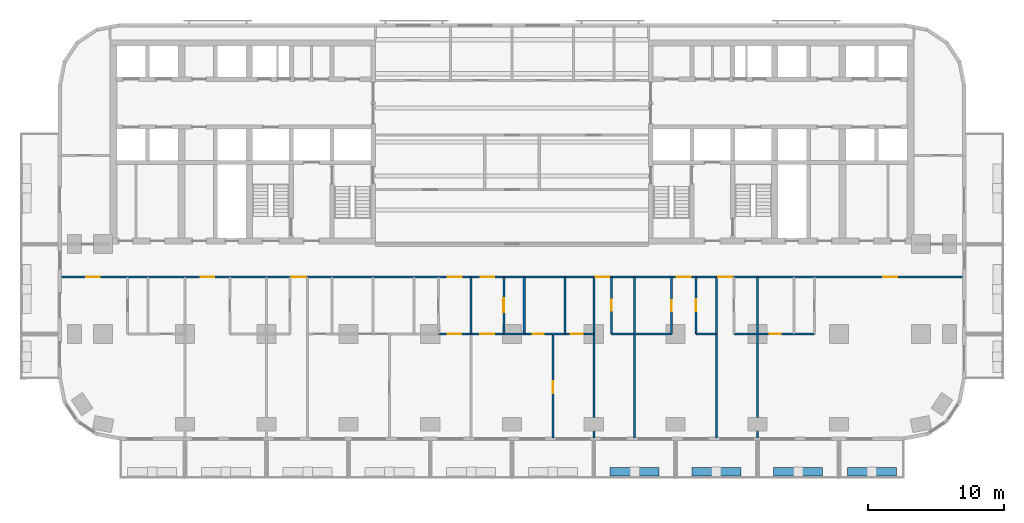
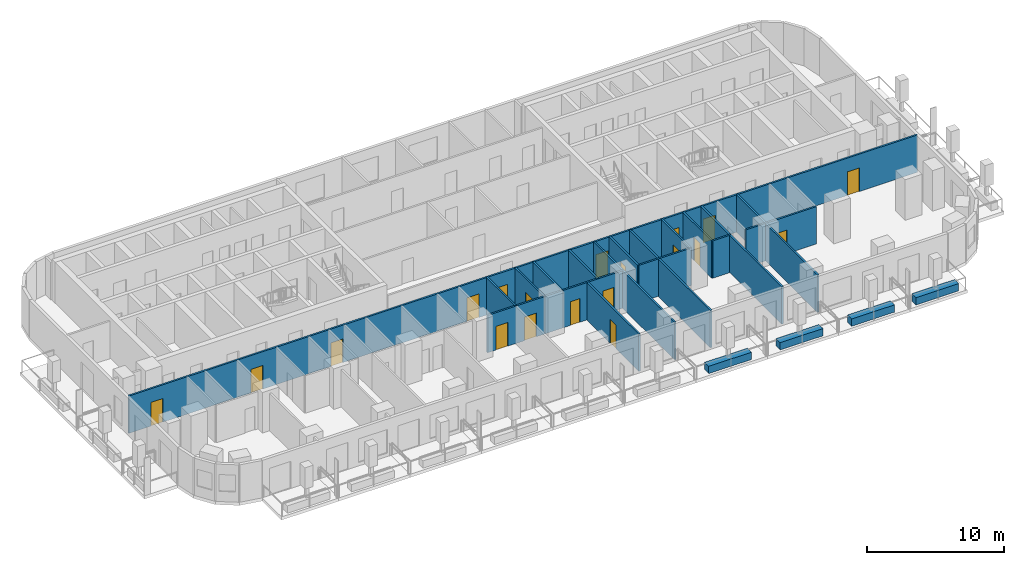
# One storey, part 5 of 13: 23 walls, 19 doors, 19 openings.
"""IFC4 building model written with IfcOpenShell, lengths in metres."""

from ifc_helpers import new_model, si_unit, direction, frame, frame_2d, origin, place, context, subcontext, project, spatial, rectangle, extrude, material, layer, layer_set, type_object, element, fill, save


model = new_model("IFC4")

# Units and contexts
model_context = context("Model", 3, precision=1e-05, world=origin(), true_north=direction((0.0, 1.0)))
body_context = subcontext(model_context, "Body", "Model", "MODEL_VIEW")
ifc_project = project(units=[si_unit("LENGTHUNIT", "METRE"), si_unit("AREAUNIT", "SQUARE_METRE"), si_unit("VOLUMEUNIT", "CUBIC_METRE"), si_unit("PLANEANGLEUNIT", "RADIAN"), si_unit("MASSUNIT", "GRAM", prefix="KILO")], contexts=[model_context])

# Site, building, storey
site_placement = place(None, origin())
site = spatial("IfcSite", under=ifc_project, at=site_placement, CompositionType="ELEMENT")
building_placement = place(site_placement, origin())
building = spatial("IfcBuilding", under=site, at=building_placement, Name="Torana Hotel and Residences", CompositionType="ELEMENT")
storey_placement = place(building_placement, frame((0.0, 0.0, 78.0)))
storey = spatial("IfcBuildingStorey", under=building, at=storey_placement, Name="L19", CompositionType="ELEMENT", Elevation=78.0)

# Wall, opening, door
ifc_material_1 = material(Name="Gypsum plaster")
ifc_layer_1 = layer(ifc_material_1, 0.014892578125, Name="Plaster", Category="finish")
ifc_material_2 = material(Name="Concrete blockwork", Category="masonry")
ifc_layer_2 = layer(ifc_material_2, 0.1201171875, Name="Blockwork", Category="structure")
ifc_layer_3 = layer(ifc_material_1, 0.014892578125, Name="Plaster", Category="finish")
ifc_layer_set_1 = layer_set([ifc_layer_1, ifc_layer_2, ifc_layer_3], Name="FIRE PARTITION 150 BLOCKWORK")
wall_type_1 = type_object("IfcWallType", Name="FIRE PARTITION 150 BLOCKWORK", PredefinedType="PARTITIONING", material=ifc_layer_set_1)
wall_1_placement = place(storey_placement, frame((-0.60009765625, -21.60009765625, 0.0), z_axis=(0.0, 0.0, 1.0), x_axis=(0.0, 1.0, 0.0)))
wall_1 = element("IfcWall", 1, at=wall_1_placement, inside=storey, type_object=wall_type_1, Name="Partition L19", PredefinedType="PARTITIONING", context=body_context, shape_type="SweptSolid", body=[
    extrude(rectangle(XDim=4.2001953125, YDim=0.14990234375, at=frame_2d((2.10009765625, 0.0))), origin(), (0.0, 0.0, 1.0), 3.320068359375),
])
opening_1_placement = place(wall_1_placement, frame((1.6201171875, 0.0, 0.0)))
opening_1 = element("IfcOpeningElement", 2, at=opening_1_placement, cuts=wall_1, Name="Opening L19-66", PredefinedType="OPENING", context=body_context, shape_type="SweptSolid", body=[
    extrude(rectangle(XDim=1.0, YDim=2.10009765625, at=frame_2d((0.5, 1.050048828125))), frame((0.0, 0.0849609375, 0.0), z_axis=(0.0, -1.0, 0.0), x_axis=(1.0, 0.0, 0.0)), (0.0, 0.0, 1.0), 0.169921875),
])
ifc_material_3 = material(Name="Steel S235", Category="steel")
door_type_1 = type_object("IfcDoorType", Name="ENTRY FIRE DOOR D6 1000x2100", OperationType="SINGLE_SWING_LEFT", PredefinedType="DOOR", material=ifc_material_3)
door_1_placement = place(opening_1_placement, frame((0.5, 0.0, 0.0), z_axis=(0.0, 0.0, 1.0), x_axis=(-1.0, 0.0, 0.0)))
door_1 = element("IfcDoor", 3, at=door_1_placement, inside=storey, type_object=door_type_1, Name="Door L19", OperationType="SINGLE_SWING_LEFT", OverallHeight=2.10009765625, OverallWidth=1.0, PredefinedType="DOOR", context=body_context, shape_type="SweptSolid", body=[
    extrude(rectangle(XDim=1.0, YDim=2.10009765625, at=frame_2d((0.0, 1.050048828125))), frame((0.0, -0.02490234375, 0.0), z_axis=(0.0, 1.0, 0.0), x_axis=(-1.0, 0.0, 0.0)), (0.0, 0.0, 1.0), 0.050048828125),
])
fill(opening_1, door_1)

# Wall
wall_2_placement = place(storey_placement, frame((-3.0, -21.60009765625, 0.0), z_axis=(0.0, 0.0, 1.0), x_axis=(0.0, 1.0, 0.0)))
element("IfcWall", 4, at=wall_2_placement, inside=storey, type_object=wall_type_1, Name="Partition L19", PredefinedType="PARTITIONING", context=body_context, shape_type="SweptSolid", body=[
    extrude(rectangle(XDim=4.2001953125, YDim=0.14990234375, at=frame_2d((2.10009765625, 0.0))), origin(), (0.0, 0.0, 1.0), 3.320068359375),
])

# Wall, openings, doors
wall_3_placement = place(storey_placement, frame((-5.39990234375, -21.60009765625, 0.0), z_axis=(0.0, 0.0, 1.0), x_axis=(1.0, 0.0, 0.0)))
wall_3 = element("IfcWall", 5, at=wall_3_placement, inside=storey, type_object=wall_type_1, Name="Partition L19", PredefinedType="PARTITIONING", context=body_context, shape_type="SweptSolid", body=[
    extrude(rectangle(XDim=4.7998046875, YDim=0.14990234375, at=frame_2d((2.39990234375, 0.0))), origin(), (0.0, 0.0, 1.0), 3.320068359375),
])
opening_2_placement = place(wall_3_placement, frame((0.679931640625, 0.0, 0.0)))
opening_2 = element("IfcOpeningElement", 6, at=opening_2_placement, cuts=wall_3, Name="Opening L19-64", PredefinedType="OPENING", context=body_context, shape_type="SweptSolid", body=[
    extrude(rectangle(XDim=1.0, YDim=2.10009765625, at=frame_2d((0.5, 1.050048828125))), frame((0.0, 0.0849609375, 0.0), z_axis=(0.0, -1.0, 0.0), x_axis=(1.0, 0.0, 0.0)), (0.0, 0.0, 1.0), 0.169921875),
])
opening_3_placement = place(wall_3_placement, frame((3.080078125, 0.0, 0.0)))
opening_3 = element("IfcOpeningElement", 7, at=opening_3_placement, cuts=wall_3, Name="Opening L19-67", PredefinedType="OPENING", context=body_context, shape_type="SweptSolid", body=[
    extrude(rectangle(XDim=1.0, YDim=2.10009765625, at=frame_2d((0.5, 1.050048828125))), frame((0.0, 0.0849609375, 0.0), z_axis=(0.0, -1.0, 0.0), x_axis=(1.0, 0.0, 0.0)), (0.0, 0.0, 1.0), 0.169921875),
])
door_2_placement = place(opening_2_placement, frame((0.5, 0.0, 0.0), z_axis=(0.0, 0.0, 1.0), x_axis=(-1.0, 0.0, 0.0)))
door_2 = element("IfcDoor", 8, at=door_2_placement, inside=storey, type_object=door_type_1, Name="Door L19", OperationType="SINGLE_SWING_LEFT", OverallHeight=2.10009765625, OverallWidth=1.0, PredefinedType="DOOR", context=body_context, shape_type="SweptSolid", body=[
    extrude(rectangle(XDim=1.0, YDim=2.10009765625, at=frame_2d((0.0, 1.050048828125))), frame((0.0, -0.02490234375, 0.0), z_axis=(0.0, 1.0, 0.0), x_axis=(-1.0, 0.0, 0.0)), (0.0, 0.0, 1.0), 0.050048828125),
])
fill(opening_2, door_2)
door_3_placement = place(opening_3_placement, frame((0.5, 0.0, 0.0), z_axis=(0.0, 0.0, 1.0), x_axis=(-1.0, 0.0, 0.0)))
door_3 = element("IfcDoor", 9, at=door_3_placement, inside=storey, type_object=door_type_1, Name="Door L19", OperationType="SINGLE_SWING_LEFT", OverallHeight=2.10009765625, OverallWidth=1.0, PredefinedType="DOOR", context=body_context, shape_type="SweptSolid", body=[
    extrude(rectangle(XDim=1.0, YDim=2.10009765625, at=frame_2d((0.0, 1.050048828125))), frame((0.0, -0.02490234375, 0.0), z_axis=(0.0, 1.0, 0.0), x_axis=(-1.0, 0.0, 0.0)), (0.0, 0.0, 1.0), 0.050048828125),
])
fill(opening_3, door_3)

wall_4_placement = place(storey_placement, frame((-33.1201171875, -17.39990234375, 0.0), z_axis=(0.0, 0.0, 1.0), x_axis=(1.0, 0.0, 0.0)))
wall_4 = element("IfcWall", 10, at=wall_4_placement, inside=storey, type_object=wall_type_1, Name="Partition L19", PredefinedType="PARTITIONING", context=body_context, shape_type="SweptSolid", body=[
    extrude(rectangle(XDim=66.240234375, YDim=0.14990234375, at=frame_2d((33.1201171875, 0.0))), origin(), (0.0, 0.0, 1.0), 3.320068359375),
])
opening_4_placement = place(wall_4_placement, frame((10.27001953125, 0.0, 0.0)))
opening_4 = element("IfcOpeningElement", 11, at=opening_4_placement, cuts=wall_4, Name="Opening L19-38", PredefinedType="OPENING", context=body_context, shape_type="SweptSolid", body=[
    extrude(rectangle(XDim=1.0, YDim=2.10009765625, at=frame_2d((0.5, 1.050048828125))), frame((0.0, 0.0849609375, 0.0), z_axis=(0.0, -1.0, 0.0), x_axis=(1.0, 0.0, 0.0)), (0.0, 0.0, 1.0), 0.169921875),
])
opening_5_placement = place(wall_4_placement, frame((16.969970703125, 0.0, 0.0)))
opening_5 = element("IfcOpeningElement", 12, at=opening_5_placement, cuts=wall_4, Name="Opening L19-39", PredefinedType="OPENING", context=body_context, shape_type="SweptSolid", body=[
    extrude(rectangle(XDim=1.0, YDim=2.10009765625, at=frame_2d((0.5, 1.050048828125))), frame((0.0, 0.0849609375, 0.0), z_axis=(0.0, -1.0, 0.0), x_axis=(1.0, 0.0, 0.0)), (0.0, 0.0, 1.0), 0.169921875),
])
opening_6_placement = place(wall_4_placement, frame((28.419921875, 0.0, 0.0)))
opening_6 = element("IfcOpeningElement", 13, at=opening_6_placement, cuts=wall_4, Name="Opening L19-40", PredefinedType="OPENING", context=body_context, shape_type="SweptSolid", body=[
    extrude(rectangle(XDim=1.0, YDim=2.10009765625, at=frame_2d((0.5, 1.050048828125))), frame((0.0, 0.0849609375, 0.0), z_axis=(0.0, -1.0, 0.0), x_axis=(1.0, 0.0, 0.0)), (0.0, 0.0, 1.0), 0.169921875),
])
opening_7_placement = place(wall_4_placement, frame((30.820068359375, 0.0, 0.0)))
opening_7 = element("IfcOpeningElement", 14, at=opening_7_placement, cuts=wall_4, Name="Opening L19-41", PredefinedType="OPENING", context=body_context, shape_type="SweptSolid", body=[
    extrude(rectangle(XDim=1.0, YDim=2.10009765625, at=frame_2d((0.5, 1.050048828125))), frame((0.0, 0.0849609375, 0.0), z_axis=(0.0, -1.0, 0.0), x_axis=(1.0, 0.0, 0.0)), (0.0, 0.0, 1.0), 0.169921875),
])
opening_8_placement = place(wall_4_placement, frame((39.27001953125, 0.0, 0.0)))
opening_8 = element("IfcOpeningElement", 15, at=opening_8_placement, cuts=wall_4, Name="Opening L19-42", PredefinedType="OPENING", context=body_context, shape_type="SweptSolid", body=[
    extrude(rectangle(XDim=1.0, YDim=2.10009765625, at=frame_2d((0.5, 1.050048828125))), frame((0.0, 0.0849609375, 0.0), z_axis=(0.0, -1.0, 0.0), x_axis=(1.0, 0.0, 0.0)), (0.0, 0.0, 1.0), 0.169921875),
])
opening_9_placement = place(wall_4_placement, frame((45.219970703125, 0.0, 0.0)))
opening_9 = element("IfcOpeningElement", 16, at=opening_9_placement, cuts=wall_4, Name="Opening L19-43", PredefinedType="OPENING", context=body_context, shape_type="SweptSolid", body=[
    extrude(rectangle(XDim=1.0, YDim=2.10009765625, at=frame_2d((0.5, 1.050048828125))), frame((0.0, 0.0849609375, 0.0), z_axis=(0.0, -1.0, 0.0), x_axis=(1.0, 0.0, 0.0)), (0.0, 0.0, 1.0), 0.169921875),
])
opening_10_placement = place(wall_4_placement, frame((48.27001953125, 0.0, 0.0)))
opening_10 = element("IfcOpeningElement", 17, at=opening_10_placement, cuts=wall_4, Name="Opening L19-44", PredefinedType="OPENING", context=body_context, shape_type="SweptSolid", body=[
    extrude(rectangle(XDim=1.0, YDim=2.10009765625, at=frame_2d((0.5, 1.050048828125))), frame((0.0, 0.0849609375, 0.0), z_axis=(0.0, -1.0, 0.0), x_axis=(1.0, 0.0, 0.0)), (0.0, 0.0, 1.0), 0.169921875),
])
opening_11_placement = place(wall_4_placement, frame((1.8701171875, 0.0, 0.0)))
opening_11 = element("IfcOpeningElement", 18, at=opening_11_placement, cuts=wall_4, Name="Opening L19-45", PredefinedType="OPENING", context=body_context, shape_type="SweptSolid", body=[
    extrude(rectangle(XDim=1.0, YDim=2.10009765625, at=frame_2d((0.5, 1.050048828125))), frame((0.0, 0.0849609375, 0.0), z_axis=(0.0, -1.0, 0.0), x_axis=(1.0, 0.0, 0.0)), (0.0, 0.0, 1.0), 0.169921875),
])
opening_12_placement = place(wall_4_placement, frame((60.3701171875, 0.0, 0.0)))
opening_12 = element("IfcOpeningElement", 19, at=opening_12_placement, cuts=wall_4, Name="Opening L19-46", PredefinedType="OPENING", context=body_context, shape_type="SweptSolid", body=[
    extrude(rectangle(XDim=1.0, YDim=2.10009765625, at=frame_2d((0.5, 1.050048828125))), frame((0.0, 0.0849609375, 0.0), z_axis=(0.0, -1.0, 0.0), x_axis=(1.0, 0.0, 0.0)), (0.0, 0.0, 1.0), 0.169921875),
])
door_4_placement = place(opening_4_placement, frame((0.5, 0.0, 0.0), z_axis=(0.0, 0.0, 1.0), x_axis=(-1.0, 0.0, 0.0)))
door_4 = element("IfcDoor", 20, at=door_4_placement, inside=storey, type_object=door_type_1, Name="Door L19", OperationType="SINGLE_SWING_LEFT", OverallHeight=2.10009765625, OverallWidth=1.0, PredefinedType="DOOR", context=body_context, shape_type="SweptSolid", body=[
    extrude(rectangle(XDim=1.0, YDim=2.10009765625, at=frame_2d((0.0, 1.050048828125))), frame((0.0, -0.02490234375, 0.0), z_axis=(0.0, 1.0, 0.0), x_axis=(-1.0, 0.0, 0.0)), (0.0, 0.0, 1.0), 0.050048828125),
])
fill(opening_4, door_4)
door_5_placement = place(opening_5_placement, frame((0.5, 0.0, 0.0), z_axis=(0.0, 0.0, 1.0), x_axis=(-1.0, 0.0, 0.0)))
door_5 = element("IfcDoor", 21, at=door_5_placement, inside=storey, type_object=door_type_1, Name="Door L19", OperationType="SINGLE_SWING_LEFT", OverallHeight=2.10009765625, OverallWidth=1.0, PredefinedType="DOOR", context=body_context, shape_type="SweptSolid", body=[
    extrude(rectangle(XDim=1.0, YDim=2.10009765625, at=frame_2d((0.0, 1.050048828125))), frame((0.0, -0.02490234375, 0.0), z_axis=(0.0, 1.0, 0.0), x_axis=(-1.0, 0.0, 0.0)), (0.0, 0.0, 1.0), 0.050048828125),
])
fill(opening_5, door_5)
door_6_placement = place(opening_6_placement, origin())
door_6 = element("IfcDoor", 22, at=door_6_placement, inside=storey, type_object=door_type_1, Name="Door L19", OperationType="SINGLE_SWING_RIGHT", OverallHeight=2.10009765625, OverallWidth=1.0, PredefinedType="DOOR", context=body_context, shape_type="SweptSolid", body=[
    extrude(rectangle(XDim=1.0, YDim=2.10009765625, at=frame_2d((0.5, 1.050048828125))), frame((0.0, 0.02490234375, 0.0), z_axis=(0.0, -1.0, 0.0), x_axis=(1.0, 0.0, 0.0)), (0.0, 0.0, 1.0), 0.050048828125),
])
fill(opening_6, door_6)
door_7_placement = place(opening_7_placement, origin())
door_7 = element("IfcDoor", 23, at=door_7_placement, inside=storey, type_object=door_type_1, Name="Door L19", OperationType="SINGLE_SWING_RIGHT", OverallHeight=2.10009765625, OverallWidth=1.0, PredefinedType="DOOR", context=body_context, shape_type="SweptSolid", body=[
    extrude(rectangle(XDim=1.0, YDim=2.10009765625, at=frame_2d((0.5, 1.050048828125))), frame((0.0, 0.02490234375, 0.0), z_axis=(0.0, -1.0, 0.0), x_axis=(1.0, 0.0, 0.0)), (0.0, 0.0, 1.0), 0.050048828125),
])
fill(opening_7, door_7)
door_8_placement = place(opening_8_placement, frame((0.5, 0.0, 0.0), z_axis=(0.0, 0.0, 1.0), x_axis=(-1.0, 0.0, 0.0)))
door_8 = element("IfcDoor", 24, at=door_8_placement, inside=storey, type_object=door_type_1, Name="Door L19", OperationType="SINGLE_SWING_LEFT", OverallHeight=2.10009765625, OverallWidth=1.0, PredefinedType="DOOR", context=body_context, shape_type="SweptSolid", body=[
    extrude(rectangle(XDim=1.0, YDim=2.10009765625, at=frame_2d((0.0, 1.050048828125))), frame((0.0, -0.02490234375, 0.0), z_axis=(0.0, 1.0, 0.0), x_axis=(-1.0, 0.0, 0.0)), (0.0, 0.0, 1.0), 0.050048828125),
])
fill(opening_8, door_8)
door_9_placement = place(opening_9_placement, frame((0.5, 0.0, 0.0), z_axis=(0.0, 0.0, 1.0), x_axis=(-1.0, 0.0, 0.0)))
door_9 = element("IfcDoor", 25, at=door_9_placement, inside=storey, type_object=door_type_1, Name="Door L19", OperationType="SINGLE_SWING_LEFT", OverallHeight=2.10009765625, OverallWidth=1.0, PredefinedType="DOOR", context=body_context, shape_type="SweptSolid", body=[
    extrude(rectangle(XDim=1.0, YDim=2.10009765625, at=frame_2d((0.0, 1.050048828125))), frame((0.0, -0.02490234375, 0.0), z_axis=(0.0, 1.0, 0.0), x_axis=(-1.0, 0.0, 0.0)), (0.0, 0.0, 1.0), 0.050048828125),
])
fill(opening_9, door_9)
door_10_placement = place(opening_10_placement, frame((0.5, 0.0, 0.0), z_axis=(0.0, 0.0, 1.0), x_axis=(-1.0, 0.0, 0.0)))
door_10 = element("IfcDoor", 26, at=door_10_placement, inside=storey, type_object=door_type_1, Name="Door L19", OperationType="SINGLE_SWING_LEFT", OverallHeight=2.10009765625, OverallWidth=1.0, PredefinedType="DOOR", context=body_context, shape_type="SweptSolid", body=[
    extrude(rectangle(XDim=1.0, YDim=2.10009765625, at=frame_2d((0.0, 1.050048828125))), frame((0.0, -0.02490234375, 0.0), z_axis=(0.0, 1.0, 0.0), x_axis=(-1.0, 0.0, 0.0)), (0.0, 0.0, 1.0), 0.050048828125),
])
fill(opening_10, door_10)
door_11_placement = place(opening_11_placement, frame((0.5, 0.0, 0.0), z_axis=(0.0, 0.0, 1.0), x_axis=(-1.0, 0.0, 0.0)))
door_11 = element("IfcDoor", 27, at=door_11_placement, inside=storey, type_object=door_type_1, Name="Door L19", OperationType="SINGLE_SWING_LEFT", OverallHeight=2.10009765625, OverallWidth=1.0, PredefinedType="DOOR", context=body_context, shape_type="SweptSolid", body=[
    extrude(rectangle(XDim=1.0, YDim=2.10009765625, at=frame_2d((0.0, 1.050048828125))), frame((0.0, -0.02490234375, 0.0), z_axis=(0.0, 1.0, 0.0), x_axis=(-1.0, 0.0, 0.0)), (0.0, 0.0, 1.0), 0.050048828125),
])
fill(opening_11, door_11)
door_12_placement = place(opening_12_placement, frame((0.5, 0.0, 0.0), z_axis=(0.0, 0.0, 1.0), x_axis=(-1.0, 0.0, 0.0)))
door_12 = element("IfcDoor", 28, at=door_12_placement, inside=storey, type_object=door_type_1, Name="Door L19", OperationType="SINGLE_SWING_LEFT", OverallHeight=2.10009765625, OverallWidth=1.0, PredefinedType="DOOR", context=body_context, shape_type="SweptSolid", body=[
    extrude(rectangle(XDim=1.0, YDim=2.10009765625, at=frame_2d((0.0, 1.050048828125))), frame((0.0, -0.02490234375, 0.0), z_axis=(0.0, 1.0, 0.0), x_axis=(-1.0, 0.0, 0.0)), (0.0, 0.0, 1.0), 0.050048828125),
])
fill(opening_12, door_12)

# Walls
ifc_material_4 = material(Name="Gypsum plasterboard")
ifc_layer_4 = layer(ifc_material_4, 0.012451171875, Name="Plasterboard", Category="finish")
ifc_layer_5 = layer(ifc_material_4, 0.012451171875, Name="Plasterboard", Category="finish")
ifc_material_5 = material(Name="Steel S280GD", Category="steel")
ifc_layer_6 = layer(ifc_material_5, 0.10009765625, Name="Steel studs with mineral wool", Category="insulation")
ifc_layer_7 = layer(ifc_material_4, 0.012451171875, Name="Plasterboard", Category="finish")
ifc_layer_8 = layer(ifc_material_4, 0.012451171875, Name="Plasterboard", Category="finish")
ifc_layer_set_2 = layer_set([ifc_layer_4, ifc_layer_5, ifc_layer_6, ifc_layer_7, ifc_layer_8], Name="PARTITION 150 PLASTERBOARD")
wall_type_2 = type_object("IfcWallType", Name="PARTITION 150 PLASTERBOARD", PredefinedType="PARTITIONING", material=ifc_layer_set_2)
for number, where, z_axis, x_axis, name in (
    (29, (18.0, -29.219970703125, 0.0), (0.0, 0.0, 1.0), (0.0, 1.0, 0.0), "Partition L19"),
    (30, (15.0, -29.219970703125, 0.0), (0.0, 0.0, 1.0), (0.0, 1.0, 0.0), "Partition L19"),
):
    element("IfcWall", number, at=place(storey_placement, frame(where, z_axis=z_axis, x_axis=x_axis)), inside=storey, type_object=wall_type_2, Name=name, PredefinedType="PARTITIONING", context=body_context, shape_type="SweptSolid", body=[
        extrude(rectangle(XDim=11.820068359375, YDim=0.14990234375, at=frame_2d((5.91015625, 0.0))), origin(), (0.0, 0.0, 1.0), 3.320068359375),
    ])

# Wall, opening, door
wall_5_placement = place(storey_placement, frame((13.5, -21.60009765625, 0.0), z_axis=(0.0, 0.0, 1.0), x_axis=(0.0, 1.0, 0.0)))
wall_5 = element("IfcWall", 31, at=wall_5_placement, inside=storey, type_object=wall_type_2, Name="Partition L19", PredefinedType="PARTITIONING", context=body_context, shape_type="SweptSolid", body=[
    extrude(rectangle(XDim=4.2001953125, YDim=0.14990234375, at=frame_2d((2.10009765625, 0.0))), origin(), (0.0, 0.0, 1.0), 3.320068359375),
])
opening_13_placement = place(wall_5_placement, frame((1.669921875, 0.0, 0.0)))
opening_13 = element("IfcOpeningElement", 32, at=opening_13_placement, cuts=wall_5, Name="Opening L19-73", PredefinedType="OPENING", context=body_context, shape_type="SweptSolid", body=[
    extrude(rectangle(XDim=0.89990234375, YDim=2.10009765625, at=frame_2d((0.449951171875, 1.050048828125))), frame((0.0, 0.0849609375, 0.0), z_axis=(0.0, -1.0, 0.0), x_axis=(1.0, 0.0, 0.0)), (0.0, 0.0, 1.0), 0.169921875),
])
ifc_material_6 = material(Name="Timber door, oiled ash", Category="wood")
door_type_2 = type_object("IfcDoorType", Name="ROOM DOOR D7 900x2100", OperationType="SINGLE_SWING_LEFT", PredefinedType="DOOR", material=ifc_material_6)
door_13_placement = place(opening_13_placement, origin())
door_13 = element("IfcDoor", 33, at=door_13_placement, inside=storey, type_object=door_type_2, Name="Door L19", OperationType="SINGLE_SWING_RIGHT", OverallHeight=2.10009765625, OverallWidth=0.89990234375, PredefinedType="DOOR", context=body_context, shape_type="SweptSolid", body=[
    extrude(rectangle(XDim=0.89990234375, YDim=2.10009765625, at=frame_2d((0.449951171875, 1.050048828125))), frame((0.0, 0.02490234375, 0.0), z_axis=(0.0, -1.0, 0.0), x_axis=(1.0, 0.0, 0.0)), (0.0, 0.0, 1.0), 0.050048828125),
])
fill(opening_13, door_13)

wall_6_placement = place(storey_placement, frame((11.699951171875, -21.60009765625, 0.0), z_axis=(0.0, 0.0, 1.0), x_axis=(0.0, 1.0, 0.0)))
wall_6 = element("IfcWall", 34, at=wall_6_placement, inside=storey, type_object=wall_type_2, Name="Partition L19", PredefinedType="PARTITIONING", context=body_context, shape_type="SweptSolid", body=[
    extrude(rectangle(XDim=4.2001953125, YDim=0.14990234375, at=frame_2d((2.10009765625, 0.0))), origin(), (0.0, 0.0, 1.0), 3.320068359375),
])
opening_14_placement = place(wall_6_placement, frame((1.679931640625, 0.0, 0.0)))
opening_14 = element("IfcOpeningElement", 35, at=opening_14_placement, cuts=wall_6, Name="Opening L19-72", PredefinedType="OPENING", context=body_context, shape_type="SweptSolid", body=[
    extrude(rectangle(XDim=0.800048828125, YDim=2.10009765625, at=frame_2d((0.39990234375, 1.050048828125))), frame((0.0, 0.0849609375, 0.0), z_axis=(0.0, -1.0, 0.0), x_axis=(1.0, 0.0, 0.0)), (0.0, 0.0, 1.0), 0.169921875),
])
ifc_material_7 = material(Name="Timber door, painted", Category="wood")
door_type_3 = type_object("IfcDoorType", Name="BATH DOOR D13 800x2100", OperationType="SINGLE_SWING_LEFT", PredefinedType="DOOR", material=ifc_material_7)
door_14_placement = place(opening_14_placement, origin())
door_14 = element("IfcDoor", 36, at=door_14_placement, inside=storey, type_object=door_type_3, Name="Door L19", OperationType="SINGLE_SWING_RIGHT", OverallHeight=2.10009765625, OverallWidth=0.800048828125, PredefinedType="DOOR", context=body_context, shape_type="SweptSolid", body=[
    extrude(rectangle(XDim=0.800048828125, YDim=2.10009765625, at=frame_2d((0.39990234375, 1.050048828125))), frame((0.0, 0.02490234375, 0.0), z_axis=(0.0, -1.0, 0.0), x_axis=(1.0, 0.0, 0.0)), (0.0, 0.0, 1.0), 0.050048828125),
])
fill(opening_14, door_14)

# Wall
wall_7_placement = place(storey_placement, frame((9.0, -29.219970703125, 0.0), z_axis=(0.0, 0.0, 1.0), x_axis=(0.0, 1.0, 0.0)))
element("IfcWall", 37, at=wall_7_placement, inside=storey, type_object=wall_type_2, Name="Partition L19", PredefinedType="PARTITIONING", context=body_context, shape_type="SweptSolid", body=[
    extrude(rectangle(XDim=11.820068359375, YDim=0.14990234375, at=frame_2d((5.91015625, 0.0))), origin(), (0.0, 0.0, 1.0), 3.320068359375),
])

# Wall, opening, door
wall_8_placement = place(storey_placement, frame((7.300048828125, -21.60009765625, 0.0), z_axis=(0.0, 0.0, 1.0), x_axis=(0.0, 1.0, 0.0)))
wall_8 = element("IfcWall", 38, at=wall_8_placement, inside=storey, type_object=wall_type_2, Name="Partition L19", PredefinedType="PARTITIONING", context=body_context, shape_type="SweptSolid", body=[
    extrude(rectangle(XDim=4.2001953125, YDim=0.14990234375, at=frame_2d((2.10009765625, 0.0))), origin(), (0.0, 0.0, 1.0), 3.320068359375),
])
opening_15_placement = place(wall_8_placement, frame((1.719970703125, 0.0, 0.0)))
opening_15 = element("IfcOpeningElement", 39, at=opening_15_placement, cuts=wall_8, Name="Opening L19-71", PredefinedType="OPENING", context=body_context, shape_type="SweptSolid", body=[
    extrude(rectangle(XDim=0.800048828125, YDim=2.10009765625, at=frame_2d((0.39990234375, 1.050048828125))), frame((0.0, 0.0849609375, 0.0), z_axis=(0.0, -1.0, 0.0), x_axis=(1.0, 0.0, 0.0)), (0.0, 0.0, 1.0), 0.169921875),
])
door_15_placement = place(opening_15_placement, origin())
door_15 = element("IfcDoor", 40, at=door_15_placement, inside=storey, type_object=door_type_3, Name="Door L19", OperationType="SINGLE_SWING_RIGHT", OverallHeight=2.10009765625, OverallWidth=0.800048828125, PredefinedType="DOOR", context=body_context, shape_type="SweptSolid", body=[
    extrude(rectangle(XDim=0.800048828125, YDim=2.10009765625, at=frame_2d((0.39990234375, 1.050048828125))), frame((0.0, 0.02490234375, 0.0), z_axis=(0.0, -1.0, 0.0), x_axis=(1.0, 0.0, 0.0)), (0.0, 0.0, 1.0), 0.050048828125),
])
fill(opening_15, door_15)

# Walls
wall_9_placement = place(storey_placement, frame((6.0, -29.219970703125, 0.0), z_axis=(0.0, 0.0, 1.0), x_axis=(0.0, 1.0, 0.0)))
element("IfcWall", 41, at=wall_9_placement, inside=storey, type_object=wall_type_2, Name="Partition L19", PredefinedType="PARTITIONING", context=body_context, shape_type="SweptSolid", body=[
    extrude(rectangle(XDim=11.820068359375, YDim=0.14990234375, at=frame_2d((5.91015625, 0.0))), origin(), (0.0, 0.0, 1.0), 3.320068359375),
])
wall_10_placement = place(storey_placement, frame((3.89990234375, -21.60009765625, 0.0), z_axis=(0.0, 0.0, 1.0), x_axis=(0.0, 1.0, 0.0)))
element("IfcWall", 42, at=wall_10_placement, inside=storey, type_object=wall_type_2, Name="Partition L19", PredefinedType="PARTITIONING", context=body_context, shape_type="SweptSolid", body=[
    extrude(rectangle(XDim=4.2001953125, YDim=0.14990234375, at=frame_2d((2.10009765625, 0.0))), origin(), (0.0, 0.0, 1.0), 3.320068359375),
])

# Wall, opening, door
wall_11_placement = place(storey_placement, frame((3.0, -29.219970703125, 0.0), z_axis=(0.0, 0.0, 1.0), x_axis=(0.0, 1.0, 0.0)))
wall_11 = element("IfcWall", 43, at=wall_11_placement, inside=storey, type_object=wall_type_2, Name="Partition L19", PredefinedType="PARTITIONING", context=body_context, shape_type="SweptSolid", body=[
    extrude(rectangle(XDim=7.619873046875, YDim=0.14990234375, at=frame_2d((3.81005859375, 0.0))), origin(), (0.0, 0.0, 1.0), 3.320068359375),
])
opening_16_placement = place(wall_11_placement, frame((3.27001953125, 0.0, 0.0)))
opening_16 = element("IfcOpeningElement", 44, at=opening_16_placement, cuts=wall_11, Name="Opening L19-70", PredefinedType="OPENING", context=body_context, shape_type="SweptSolid", body=[
    extrude(rectangle(XDim=0.89990234375, YDim=2.10009765625, at=frame_2d((0.449951171875, 1.050048828125))), frame((0.0, 0.0849609375, 0.0), z_axis=(0.0, -1.0, 0.0), x_axis=(1.0, 0.0, 0.0)), (0.0, 0.0, 1.0), 0.169921875),
])
door_16_placement = place(opening_16_placement, origin())
door_16 = element("IfcDoor", 45, at=door_16_placement, inside=storey, type_object=door_type_2, Name="Door L19", OperationType="SINGLE_SWING_RIGHT", OverallHeight=2.10009765625, OverallWidth=0.89990234375, PredefinedType="DOOR", context=body_context, shape_type="SweptSolid", body=[
    extrude(rectangle(XDim=0.89990234375, YDim=2.10009765625, at=frame_2d((0.449951171875, 1.050048828125))), frame((0.0, 0.02490234375, 0.0), z_axis=(0.0, -1.0, 0.0), x_axis=(1.0, 0.0, 0.0)), (0.0, 0.0, 1.0), 0.050048828125),
])
fill(opening_16, door_16)

# Wall, openings, doors
wall_12_placement = place(storey_placement, frame((0.89990234375, -21.60009765625, 0.0), z_axis=(0.0, 0.0, 1.0), x_axis=(1.0, 0.0, 0.0)))
wall_12 = element("IfcWall", 46, at=wall_12_placement, inside=storey, type_object=wall_type_2, Name="Partition L19", PredefinedType="PARTITIONING", context=body_context, shape_type="SweptSolid", body=[
    extrude(rectangle(XDim=5.10009765625, YDim=0.14990234375, at=frame_2d((2.550048828125, 0.0))), origin(), (0.0, 0.0, 1.0), 3.320068359375),
])
opening_17_placement = place(wall_12_placement, frame((0.6298828125, 0.0, 0.0)))
opening_17 = element("IfcOpeningElement", 47, at=opening_17_placement, cuts=wall_12, Name="Opening L19-68", PredefinedType="OPENING", context=body_context, shape_type="SweptSolid", body=[
    extrude(rectangle(XDim=0.800048828125, YDim=2.10009765625, at=frame_2d((0.39990234375, 1.050048828125))), frame((0.0, 0.0849609375, 0.0), z_axis=(0.0, -1.0, 0.0), x_axis=(1.0, 0.0, 0.0)), (0.0, 0.0, 1.0), 0.169921875),
])
opening_18_placement = place(wall_12_placement, frame((3.39990234375, 0.0, 0.0)))
opening_18 = element("IfcOpeningElement", 48, at=opening_18_placement, cuts=wall_12, Name="Opening L19-69", PredefinedType="OPENING", context=body_context, shape_type="SweptSolid", body=[
    extrude(rectangle(XDim=0.89990234375, YDim=2.10009765625, at=frame_2d((0.449951171875, 1.050048828125))), frame((0.0, 0.0849609375, 0.0), z_axis=(0.0, -1.0, 0.0), x_axis=(1.0, 0.0, 0.0)), (0.0, 0.0, 1.0), 0.169921875),
])
door_17_placement = place(opening_17_placement, origin())
door_17 = element("IfcDoor", 49, at=door_17_placement, inside=storey, type_object=door_type_3, Name="Door L19", OperationType="SINGLE_SWING_RIGHT", OverallHeight=2.10009765625, OverallWidth=0.800048828125, PredefinedType="DOOR", context=body_context, shape_type="SweptSolid", body=[
    extrude(rectangle(XDim=0.800048828125, YDim=2.10009765625, at=frame_2d((0.39990234375, 1.050048828125))), frame((0.0, 0.02490234375, 0.0), z_axis=(0.0, -1.0, 0.0), x_axis=(1.0, 0.0, 0.0)), (0.0, 0.0, 1.0), 0.050048828125),
])
fill(opening_17, door_17)
door_18_placement = place(opening_18_placement, origin())
door_18 = element("IfcDoor", 50, at=door_18_placement, inside=storey, type_object=door_type_2, Name="Door L19", OperationType="SINGLE_SWING_LEFT", OverallHeight=2.10009765625, OverallWidth=0.89990234375, PredefinedType="DOOR", context=body_context, shape_type="SweptSolid", body=[
    extrude(rectangle(XDim=0.89990234375, YDim=2.10009765625, at=frame_2d((0.449951171875, 1.050048828125))), frame((0.0, 0.02490234375, 0.0), z_axis=(0.0, -1.0, 0.0), x_axis=(1.0, 0.0, 0.0)), (0.0, 0.0, 1.0), 0.050048828125),
])
fill(opening_18, door_18)

# Walls
wall_13_placement = place(storey_placement, frame((7.300048828125, -21.60009765625, 0.0), z_axis=(0.0, 0.0, 1.0), x_axis=(1.0, 0.0, 0.0)))
element("IfcWall", 51, at=wall_13_placement, inside=storey, type_object=wall_type_2, Name="Partition L19", PredefinedType="PARTITIONING", context=body_context, shape_type="SweptSolid", body=[
    extrude(rectangle(XDim=4.39990234375, YDim=0.14990234375, at=frame_2d((2.199951171875, 0.0))), origin(), (0.0, 0.0, 1.0), 3.320068359375),
])
wall_14_placement = place(storey_placement, frame((13.5, -21.60009765625, 0.0), z_axis=(0.0, 0.0, 1.0), x_axis=(1.0, 0.0, 0.0)))
element("IfcWall", 52, at=wall_14_placement, inside=storey, type_object=wall_type_2, Name="Partition L19", PredefinedType="PARTITIONING", context=body_context, shape_type="SweptSolid", body=[
    extrude(rectangle(XDim=1.5, YDim=0.14990234375, at=frame_2d((0.75, 0.0))), origin(), (0.0, 0.0, 1.0), 3.320068359375),
])

# Wall, opening, door
wall_15_placement = place(storey_placement, frame((16.300048828125, -21.60009765625, 0.0), z_axis=(0.0, 0.0, 1.0), x_axis=(1.0, 0.0, 0.0)))
wall_15 = element("IfcWall", 53, at=wall_15_placement, inside=storey, type_object=wall_type_2, Name="Partition L19", PredefinedType="PARTITIONING", context=body_context, shape_type="SweptSolid", body=[
    extrude(rectangle(XDim=5.89990234375, YDim=0.14990234375, at=frame_2d((2.949951171875, 0.0))), origin(), (0.0, 0.0, 1.0), 3.320068359375),
])
opening_19_placement = place(wall_15_placement, frame((2.6298828125, 0.0, 0.0)))
opening_19 = element("IfcOpeningElement", 54, at=opening_19_placement, cuts=wall_15, Name="Opening L19-77", PredefinedType="OPENING", context=body_context, shape_type="SweptSolid", body=[
    extrude(rectangle(XDim=0.800048828125, YDim=2.10009765625, at=frame_2d((0.39990234375, 1.050048828125))), frame((0.0, 0.0849609375, 0.0), z_axis=(0.0, -1.0, 0.0), x_axis=(1.0, 0.0, 0.0)), (0.0, 0.0, 1.0), 0.169921875),
])
door_19_placement = place(opening_19_placement, origin())
door_19 = element("IfcDoor", 55, at=door_19_placement, inside=storey, type_object=door_type_3, Name="Door L19", OperationType="SINGLE_SWING_RIGHT", OverallHeight=2.10009765625, OverallWidth=0.800048828125, PredefinedType="DOOR", context=body_context, shape_type="SweptSolid", body=[
    extrude(rectangle(XDim=0.800048828125, YDim=2.10009765625, at=frame_2d((0.39990234375, 1.050048828125))), frame((0.0, 0.02490234375, 0.0), z_axis=(0.0, -1.0, 0.0), x_axis=(1.0, 0.0, 0.0)), (0.0, 0.0, 1.0), 0.050048828125),
])
fill(opening_19, door_19)

# Walls
ifc_material_8 = material(Name="Concrete C40/50 precast", Category="concrete")
ifc_layer_9 = layer(ifc_material_8, 0.10009765625, Name="Planter shell", Category="structure")
ifc_material_9 = material(Name="Root resistant membrane")
ifc_layer_10 = layer(ifc_material_9, 0.00390625, Name="Waterproofing membrane", Category="membrane")
ifc_material_10 = material(Name="Drainage board with filter fleece")
ifc_layer_11 = layer(ifc_material_10, 0.02001953125, Name="Drainage board", Category="drainage")
ifc_material_11 = material(Name="Growing medium")
ifc_layer_12 = layer(ifc_material_11, 0.47607421875, Name="Planting substrate", Category="soil")
ifc_layer_set_3 = layer_set([ifc_layer_9, ifc_layer_10, ifc_layer_11, ifc_layer_12], Name="PL1 BALCONY PLANTER 600")
wall_type_3 = type_object("IfcWallType", Name="PL1 BALCONY PLANTER 600", PredefinedType="USERDEFINED", material=ifc_layer_set_3)
for number, where, z_axis, x_axis, name in (
    (56, (10.800048828125, -31.699951171875, 0.0), (0.0, 0.0, 1.0), (-1.0, 0.0, 0.0), "Planter 07"),
    (57, (16.800048828125, -31.699951171875, 0.0), (0.0, 0.0, 1.0), (-1.0, 0.0, 0.0), "Planter 08"),
    (58, (22.800048828125, -31.699951171875, 0.0), (0.0, 0.0, 1.0), (-1.0, 0.0, 0.0), "Planter 09"),
):
    element("IfcWall", number, at=place(storey_placement, frame(where, z_axis=z_axis, x_axis=x_axis)), inside=storey, type_object=wall_type_3, Name=name, ObjectType="PLANTER", PredefinedType="USERDEFINED", context=body_context, shape_type="SweptSolid", body=[
        extrude(rectangle(XDim=3.60009765625, YDim=0.60009765625, at=frame_2d((1.800048828125, 0.0))), origin(), (0.0, 0.0, 1.0), 0.64990234375),
    ])
wall_16_placement = place(storey_placement, frame((28.199951171875, -31.699951171875, 0.0), z_axis=(0.0, 0.0, 1.0), x_axis=(-1.0, 0.0, 0.0)))
element("IfcWall", 59, at=wall_16_placement, inside=storey, type_object=wall_type_3, Name="Planter 10", ObjectType="PLANTER", PredefinedType="USERDEFINED", context=body_context, shape_type="SweptSolid", body=[
    extrude(rectangle(XDim=3.599853515625, YDim=0.60009765625, at=frame_2d((1.7998046875, 0.0))), origin(), (0.0, 0.0, 1.0), 0.64990234375),
])
ifc_material_12 = material(Name="Ceramic tile on adhesive")
ifc_layer_13 = layer(ifc_material_12, 0.010009765625, Name="Wall tile", Category="finish")
ifc_material_13 = material(Name="Cement render")
ifc_layer_14 = layer(ifc_material_13, 0.010009765625, Name="Render", Category="finish")
ifc_layer_15 = layer(ifc_material_2, 0.110107421875, Name="Blockwork", Category="structure")
ifc_layer_16 = layer(ifc_material_13, 0.010009765625, Name="Render", Category="finish")
ifc_layer_17 = layer(ifc_material_12, 0.010009765625, Name="Wall tile", Category="finish")
ifc_layer_set_4 = layer_set([ifc_layer_13, ifc_layer_14, ifc_layer_15, ifc_layer_16, ifc_layer_17], Name="WC PARTITION 150")
wall_type_4 = type_object("IfcWallType", Name="WC PARTITION 150", PredefinedType="PLUMBINGWALL", material=ifc_layer_set_4)
wall_17_placement = place(storey_placement, frame((0.89990234375, -21.60009765625, 0.0), z_axis=(0.0, 0.0, 1.0), x_axis=(0.0, 1.0, 0.0)))
element("IfcWall", 60, at=wall_17_placement, inside=storey, type_object=wall_type_4, Name="Partition L19", PredefinedType="PLUMBINGWALL", context=body_context, shape_type="SweptSolid", body=[
    extrude(rectangle(XDim=4.2001953125, YDim=0.14990234375, at=frame_2d((2.10009765625, 0.0))), origin(), (0.0, 0.0, 1.0), 3.320068359375),
])
wall_18_placement = place(storey_placement, frame((-0.60009765625, -21.60009765625, 0.0), z_axis=(0.0, 0.0, 1.0), x_axis=(1.0, 0.0, 0.0)))
element("IfcWall", 61, at=wall_18_placement, inside=storey, type_object=wall_type_4, Name="Partition L19", PredefinedType="PLUMBINGWALL", context=body_context, shape_type="SweptSolid", body=[
    extrude(rectangle(XDim=1.5, YDim=0.14990234375, at=frame_2d((0.75, 0.0))), origin(), (0.0, 0.0, 1.0), 3.320068359375),
])

save(model, "model.ifc")
